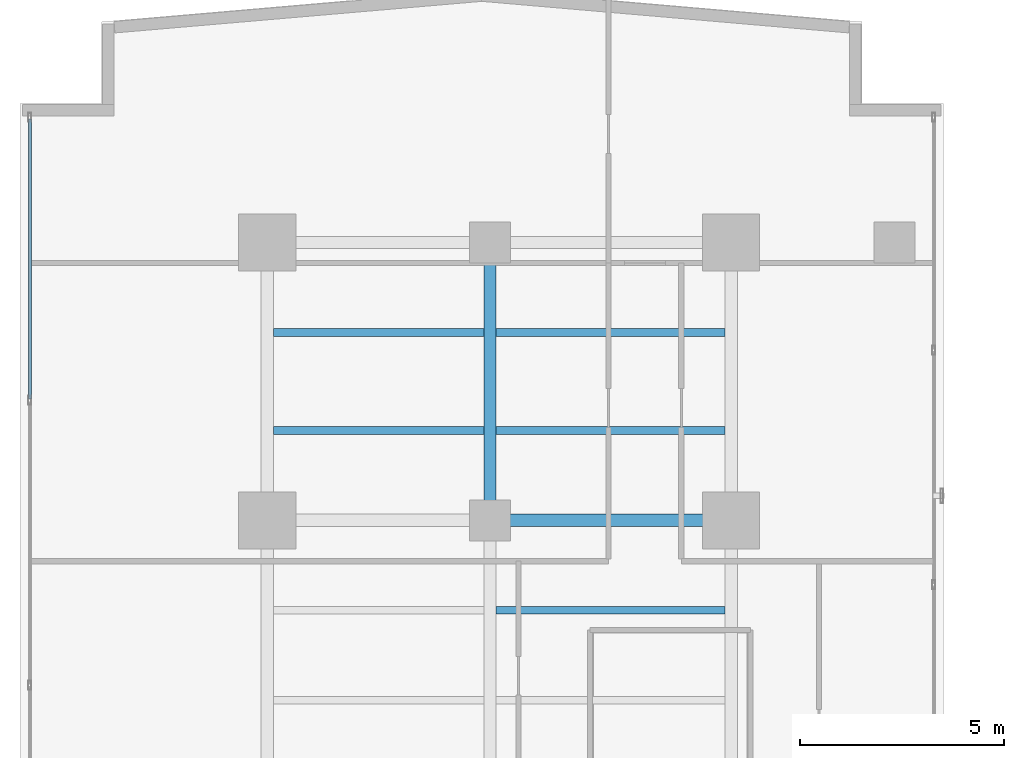
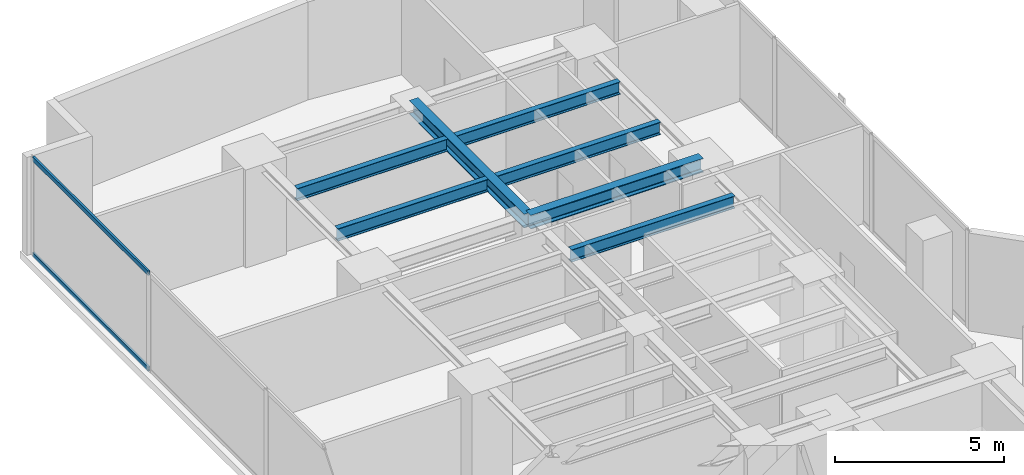
# One storey, part 16 of 27: 7 beams, 2 members, 1 element without a shape of its own.
"""IFC4 building model written with IfcOpenShell, lengths in metres."""

from ifc_helpers import new_model, si_unit, direction, frame, origin, origin_with_axes, origin_2d, place, context, subcontext, project, spatial, hollow_rectangle, i_section, extrude, source, transform, mapped, material, layer, layer_set, material_profile, profile_set, type_object, element, aggregate, save


model = new_model("IFC4")

# Units and contexts
model_context = context("Model", 3, precision=1e-05, world=origin(), true_north=direction((0.0, 1.0)))
body_context = subcontext(model_context, "Body", "Model", "MODEL_VIEW")
ifc_project = project(units=[si_unit("LENGTHUNIT", "METRE"), si_unit("AREAUNIT", "SQUARE_METRE"), si_unit("VOLUMEUNIT", "CUBIC_METRE"), si_unit("PLANEANGLEUNIT", "RADIAN"), si_unit("MASSUNIT", "GRAM", prefix="KILO")], contexts=[model_context])

# Site, building, storey
site_placement = place(None, origin())
site = spatial("IfcSite", under=ifc_project, at=site_placement, CompositionType="ELEMENT")
building_placement = place(site_placement, origin())
building = spatial("IfcBuilding", under=site, at=building_placement, Name="Kolvaren Waterfront Exchange", CompositionType="ELEMENT")
storey_placement = place(building_placement, frame((0.0, 0.0, 118.300048828125)))
storey = spatial("IfcBuildingStorey", under=building, at=storey_placement, Name="L30", CompositionType="ELEMENT", Elevation=118.300048828125)

# Beams
ifc_material_1 = material(Name="Steel S355", Category="steel")
ifc_material_profile_1 = material_profile(ifc_material_1, i_section(OverallWidth=0.300048828125, OverallDepth=0.5, WebThickness=0.014404296875, FlangeThickness=0.028076171875, FilletRadius=0.027099609375, at=origin_2d()), Name="HEB500")
ifc_profile_set_1 = profile_set([ifc_material_profile_1], Name="Steel S355")
beam_type_1 = type_object("IfcBeamType", Name="STR-BM-HEB500", PredefinedType="BEAM", material=ifc_profile_set_1)
beam_1_placement = place(storey_placement, frame((12.89990234375, 37.800048828125, 3.2900390625), z_axis=(1.0, 0.0, 0.0), x_axis=(0.0, 1.0, 0.0)))
element("IfcBeam", 1, at=beam_1_placement, inside=storey, type_object=beam_type_1, Name="L30 north-arm girder 3B", PredefinedType="BEAM", context=body_context, shape_type="SweptSolid", body=[
    extrude(i_section(OverallWidth=0.300048828125, OverallDepth=0.5, WebThickness=0.014404296875, FlangeThickness=0.028076171875, FilletRadius=0.027099609375, at=origin_2d()), origin(), (0.0, 0.0, 1.0), 5.900146484375),
])
beam_2_placement = place(storey_placement, frame((12.89990234375, 37.800048828125, 3.2900390625), z_axis=(0.0, 1.0, 0.0), x_axis=(-1.0, 0.0, 0.0)))
element("IfcBeam", 2, at=beam_2_placement, inside=storey, type_object=beam_type_1, Name="L30 north-arm edge beam 3", PredefinedType="BEAM", context=body_context, shape_type="SweptSolid", body=[
    extrude(i_section(OverallWidth=0.300048828125, OverallDepth=0.5, WebThickness=0.014404296875, FlangeThickness=0.028076171875, FilletRadius=0.027099609375, at=origin_2d()), origin(), (0.0, 0.0, 1.0), 6.800048828125),
])
ifc_material_profile_2 = material_profile(ifc_material_1, i_section(OverallWidth=0.18994140625, OverallDepth=0.449951171875, WebThickness=0.009521484375, FlangeThickness=0.0146484375, FilletRadius=0.02099609375, at=origin_2d()), Name="IPE450")
ifc_profile_set_2 = profile_set([ifc_material_profile_2], Name="Steel S355")
beam_type_2 = type_object("IfcBeamType", Name="STR-BM-IPE450", PredefinedType="JOIST", material=ifc_profile_set_2)
beam_3_placement = place(storey_placement, frame((13.052001953125, 35.60009765625, 3.31494140625), z_axis=(1.0, 0.0, 0.0), x_axis=(0.0, 1.0, 0.0)))
element("IfcBeam", 3, at=beam_3_placement, inside=storey, type_object=beam_type_2, Name="L30 north-arm composite joist 4B", PredefinedType="JOIST", context=body_context, shape_type="SweptSolid", body=[
    extrude(i_section(OverallWidth=0.18994140625, OverallDepth=0.449951171875, WebThickness=0.009521484375, FlangeThickness=0.0146484375, FilletRadius=0.02099609375, at=origin_2d()), origin(), (0.0, 0.0, 1.0), 5.595947265625),
])
beam_4_placement = place(storey_placement, frame((7.60205078125, 40.0, 3.31494140625), z_axis=(1.0, 0.0, 0.0), x_axis=(0.0, 1.0, 0.0)))
element("IfcBeam", 4, at=beam_4_placement, inside=storey, type_object=beam_type_2, Name="L30 north-arm composite joist 5A", PredefinedType="JOIST", context=body_context, shape_type="SweptSolid", body=[
    extrude(i_section(OverallWidth=0.18994140625, OverallDepth=0.449951171875, WebThickness=0.009521484375, FlangeThickness=0.0146484375, FilletRadius=0.02099609375, at=origin_2d()), origin(), (0.0, 0.0, 1.0), 5.14599609375),
])
beam_5_placement = place(storey_placement, frame((13.052001953125, 40.0, 3.31494140625), z_axis=(1.0, 0.0, 0.0), x_axis=(0.0, 1.0, 0.0)))
element("IfcBeam", 5, at=beam_5_placement, inside=storey, type_object=beam_type_2, Name="L30 north-arm composite joist 5B", PredefinedType="JOIST", context=body_context, shape_type="SweptSolid", body=[
    extrude(i_section(OverallWidth=0.18994140625, OverallDepth=0.449951171875, WebThickness=0.009521484375, FlangeThickness=0.0146484375, FilletRadius=0.02099609375, at=origin_2d()), origin(), (0.0, 0.0, 1.0), 5.595947265625),
])
beam_6_placement = place(storey_placement, frame((7.60205078125, 42.39990234375, 3.31494140625), z_axis=(1.0, 0.0, 0.0), x_axis=(0.0, 1.0, 0.0)))
element("IfcBeam", 6, at=beam_6_placement, inside=storey, type_object=beam_type_2, Name="L30 north-arm composite joist 6A", PredefinedType="JOIST", context=body_context, shape_type="SweptSolid", body=[
    extrude(i_section(OverallWidth=0.18994140625, OverallDepth=0.449951171875, WebThickness=0.009521484375, FlangeThickness=0.0146484375, FilletRadius=0.02099609375, at=origin_2d()), origin(), (0.0, 0.0, 1.0), 5.14599609375),
])
beam_7_placement = place(storey_placement, frame((13.052001953125, 42.39990234375, 3.31494140625), z_axis=(1.0, 0.0, 0.0), x_axis=(0.0, 1.0, 0.0)))
element("IfcBeam", 7, at=beam_7_placement, inside=storey, type_object=beam_type_2, Name="L30 north-arm composite joist 6B", PredefinedType="JOIST", context=body_context, shape_type="SweptSolid", body=[
    extrude(i_section(OverallWidth=0.18994140625, OverallDepth=0.449951171875, WebThickness=0.009521484375, FlangeThickness=0.0146484375, FilletRadius=0.02099609375, at=origin_2d()), origin(), (0.0, 0.0, 1.0), 5.595947265625),
])

# Curtain wall, members
ifc_material_2 = material(Name="Anodised aluminium 6063-T6", Category="aluminium")
ifc_layer = layer(ifc_material_2, 0.219970703125, Name="Anodised aluminium 6063-T6")
ifc_layer_set = layer_set([ifc_layer], Name="Anodised aluminium 6063-T6")
curtain_wall_type = type_object("IfcCurtainWallType", Name="ARC-CW-SYS2", PredefinedType="USERDEFINED", material=ifc_layer_set)
curtain_wall_placement = place(storey_placement, origin())
curtain_wall = element("IfcCurtainWall", 8, at=curtain_wall_placement, inside=storey, type_object=curtain_wall_type, Name="L30 stick curtain wall CW2 (CW-L30-W)", ObjectType="STICK CURTAIN WALL", PredefinedType="USERDEFINED")
ifc_material_profile_3 = material_profile(ifc_material_2, hollow_rectangle(XDim=0.074951171875, YDim=0.159912109375, WallThickness=0.00439453125, at=origin_2d()), Name="ALU-TRN-160x75x4.5")
ifc_profile_set_3 = profile_set([ifc_material_profile_3], Name="Anodised aluminium 6063-T6")
member_type = type_object("IfcMemberType", Name="ARC-CWT-160", PredefinedType="USERDEFINED", material=ifc_profile_set_3)
shared_shape = source(origin_with_axes(), body_context, "Body", "SweptSolid", [
    extrude(hollow_rectangle(XDim=0.074951171875, YDim=0.159912109375, WallThickness=0.00439453125, at=origin_2d()), origin(), (0.0, 0.0, 1.0), 6.8466796875),
])
member_1_placement = place(storey_placement, frame((1.639892578125, 40.7734375, 0.037353515625), z_axis=(0.0, 1.0, 0.0), x_axis=(-1.0, 0.0, 0.0)))
member_1 = element("IfcMember", 9, at=member_1_placement, type_object=member_type, Name="CW2 transom 6.1", ObjectType="TRANSOM", PredefinedType="USERDEFINED", context=body_context, shape_type="MappedRepresentation", body=[
    mapped(shared_shape, transform((0.0, 0.0, 0.0), x_axis=(1.0, 0.0, 0.0), y_axis=(0.0, 1.0, 0.0), z_axis=(0.0, 0.0, 1.0), scale=1.0)),
])
member_2_placement = place(storey_placement, frame((1.639892578125, 40.7734375, 3.50244140625), z_axis=(0.0, 1.0, 0.0), x_axis=(-1.0, 0.0, 0.0)))
member_2 = element("IfcMember", 10, at=member_2_placement, type_object=member_type, Name="CW2 transom 6.2", ObjectType="TRANSOM", PredefinedType="USERDEFINED", context=body_context, shape_type="MappedRepresentation", body=[
    mapped(shared_shape, transform((0.0, 0.0, 0.0), x_axis=(1.0, 0.0, 0.0), y_axis=(0.0, 1.0, 0.0), z_axis=(0.0, 0.0, 1.0), scale=1.0)),
])
aggregate(curtain_wall, [member_1, member_2])

save(model, "model.ifc")
